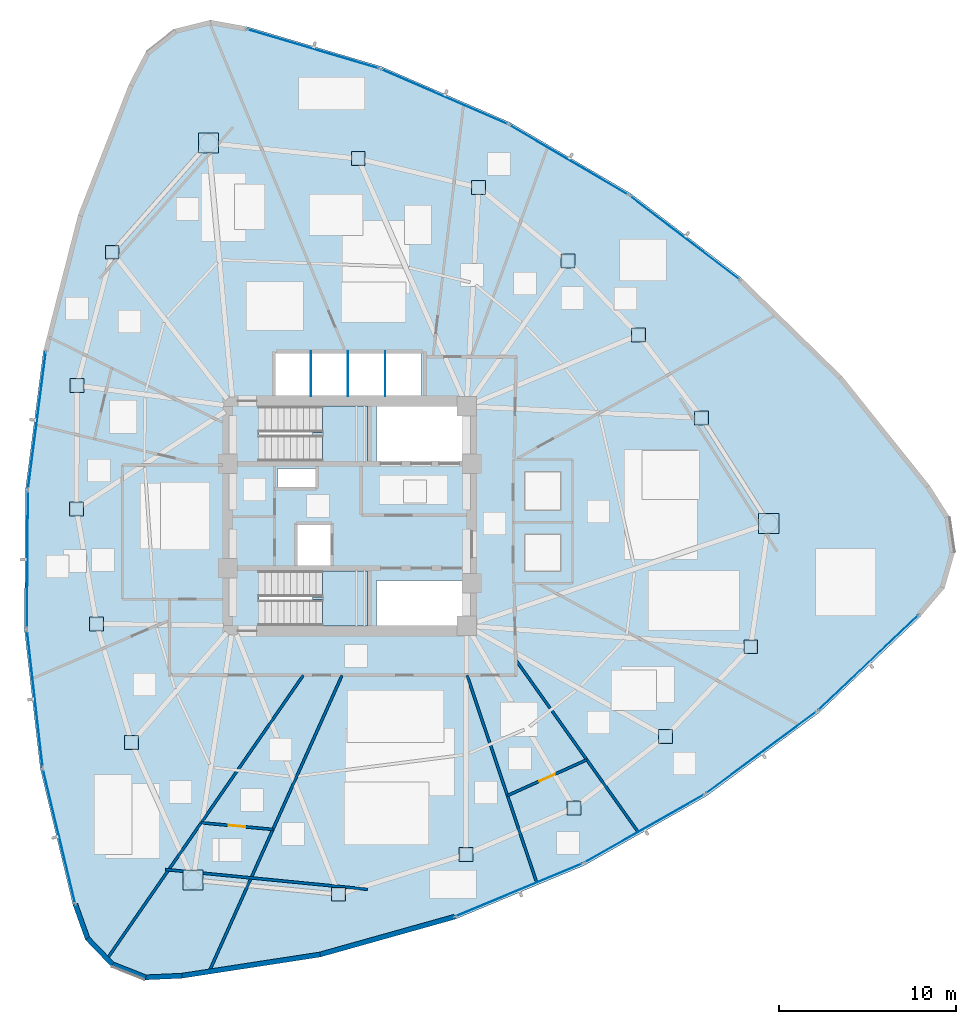
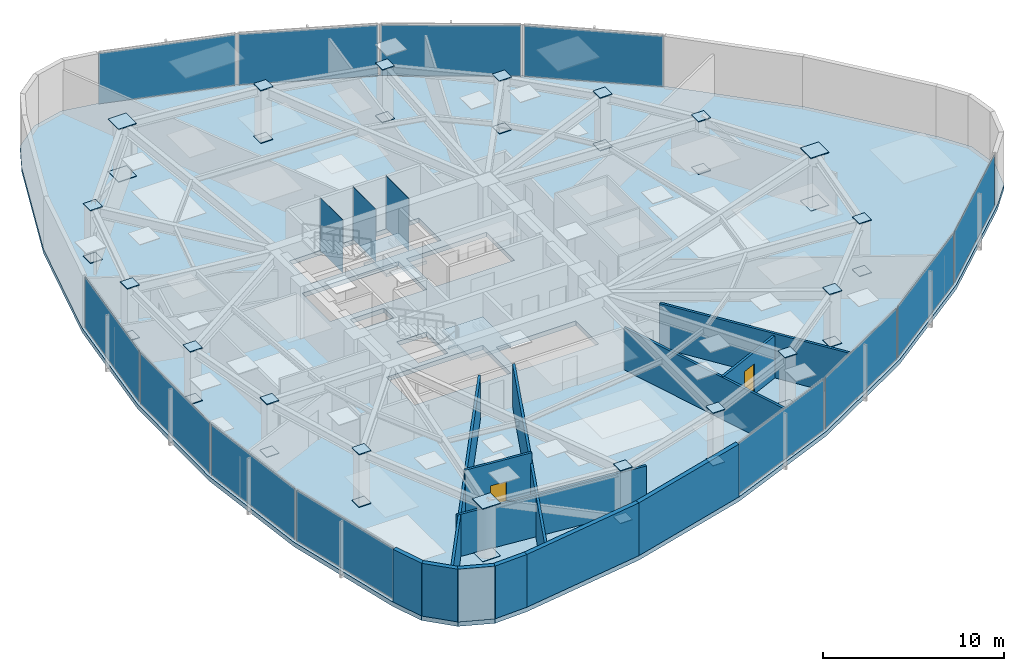
# One storey, part 10 of 17: 51 plates, 13 walls, 3 slabs, 2 doors, 2 openings, 14 elements without a shape of their own.
"""IFC4 building model written with IfcOpenShell, lengths in metres."""

from ifc_helpers import new_model, si_unit, direction, frame, frame_2d, origin, origin_2d, place, context, subcontext, project, spatial, polyline, rectangle, outline, extrude, source, transform, mapped, material, layer, layer_set, type_object, type_shapes, element, fill, aggregate, save


model = new_model("IFC4")

# Units and contexts
model_context = context("Model", 3, precision=1e-05, world=origin(), true_north=direction((0.0, 1.0)))
body_context = subcontext(model_context, "Body", "Model", "MODEL_VIEW")
ifc_project = project(units=[si_unit("LENGTHUNIT", "METRE"), si_unit("AREAUNIT", "SQUARE_METRE"), si_unit("VOLUMEUNIT", "CUBIC_METRE"), si_unit("PLANEANGLEUNIT", "RADIAN"), si_unit("MASSUNIT", "GRAM", prefix="KILO")], contexts=[model_context])

# Site, building, storey
site_placement = place(None, origin())
site = spatial("IfcSite", under=ifc_project, at=site_placement, CompositionType="ELEMENT")
building_placement = place(site_placement, origin())
building = spatial("IfcBuilding", under=site, at=building_placement, Name="Tavelor Broadcast Tower", CompositionType="ELEMENT")
storey_placement = place(building_placement, frame((0.0, 0.0, 142.550048828125)))
storey = spatial("IfcBuildingStorey", under=building, at=storey_placement, Name="L33", CompositionType="ELEMENT", Elevation=142.550048828125)

# Stair, slab
ifc_material_1 = material(Name="Concrete C40/50", Category="concrete")
stair_type = type_object("IfcStairType", Name="Reinforced Concrete Protected Dogleg Stair 1450 mm", PredefinedType="HALF_TURN_STAIR", material=ifc_material_1)
stair_1_placement = place(storey_placement, origin())
stair_1 = element("IfcStair", 1, at=stair_1_placement, inside=storey, type_object=stair_type, Name="L33 Protected Core Exit Stair ST1", PredefinedType="HALF_TURN_STAIR")
ifc_layer_1 = layer(ifc_material_1, 0.199951171875)
ifc_layer_set_1 = layer_set([ifc_layer_1], Name="Concrete C40/50")
slab_type_1 = type_object("IfcSlabType", Name="Reinforced Concrete Stair Half-Landing Slab 200 mm", PredefinedType="LANDING", material=ifc_layer_set_1)
slab_1_placement = place(storey_placement, frame((0.0, 0.0, 1.724853515625)))
slab_1 = element("IfcSlab", 2, at=slab_1_placement, type_object=slab_type_1, Name="ST1 landing 1", PredefinedType="LANDING", context=body_context, shape_type="SweptSolid", body=[
    extrude(outline(polyline([(48.445068359375, 49.590087890625), (48.445068359375, 48.094970703125), (51.0048828125, 48.094970703125), (51.0048828125, 51.205078125), (48.445068359375, 51.205078125), (48.445068359375, 49.7099609375), (47.905029296875, 49.7099609375), (47.905029296875, 49.590087890625), (48.445068359375, 49.590087890625)])), origin(), (0.0, 0.0, 1.0), 0.2001953125),
])
aggregate(stair_1, [slab_1])

stair_2_placement = place(storey_placement, origin())
stair_2 = element("IfcStair", 3, at=stair_2_placement, inside=storey, type_object=stair_type, Name="L33 Protected Core Exit Stair ST2", PredefinedType="HALF_TURN_STAIR")
slab_2_placement = place(storey_placement, frame((0.0, 0.0, 1.724853515625)))
slab_2 = element("IfcSlab", 4, at=slab_2_placement, type_object=slab_type_1, Name="ST2 landing 1", PredefinedType="LANDING", context=body_context, shape_type="SweptSolid", body=[
    extrude(outline(polyline([(48.445068359375, 40.2900390625), (48.445068359375, 38.794921875), (51.0048828125, 38.794921875), (51.0048828125, 41.905029296875), (48.445068359375, 41.905029296875), (48.445068359375, 40.409912109375), (47.905029296875, 40.409912109375), (47.905029296875, 40.2900390625), (48.445068359375, 40.2900390625)])), origin(), (0.0, 0.0, 1.0), 0.2001953125),
])
aggregate(stair_2, [slab_2])

# Slab
ifc_layer_2 = layer(ifc_material_1, 0.300048828125)
ifc_layer_set_2 = layer_set([ifc_layer_2], Name="Concrete C40/50")
slab_type_2 = type_object("IfcSlabType", Name="Tower Composite Floor Slab 300 mm", PredefinedType="FLOOR", material=ifc_layer_set_2)
slab_3_placement = place(storey_placement, frame((0.0, 0.0, -0.300048828125)))
element("IfcSlab", 5, at=slab_3_placement, inside=storey, type_object=slab_type_2, Name="L33 Structural Floor Slab", PredefinedType="FLOOR", context=body_context, shape_type="SweptSolid", body=[
    extrude(outline(polyline([(44.17626953125, 72.663818359375), (42.12939453125, 73.03759765625), (40.1103515625, 72.535888671875), (38.476318359375, 71.247802734375), (37.517333984375, 69.401611328125), (34.6435546875, 62.02197265625), (32.68408203125, 54.34912109375), (31.66748046875, 46.4951171875), (31.60888671875, 38.576171875), (32.5087890625, 30.7080078125), (34.3544921875, 23.0068359375), (35.05419921875, 21.047607421875), (36.498046875, 19.549560546875), (38.430419921875, 18.778564453125), (40.509033203125, 18.87109375), (48.336669921875, 20.072265625), (55.96142578125, 22.2119140625), (63.271240234375, 25.25830078125), (70.15869140625, 29.1669921875), (76.522705078125, 33.880615234375), (82.269287109375, 39.329345703125), (83.616455078125, 40.9150390625), (84.191650390625, 42.91455078125), (83.89306640625, 44.973388671875), (82.773681640625, 46.727294921875), (77.819580078125, 52.90576171875), (72.154296875, 58.439208984375), (65.861083984375, 63.24658203125), (59.0322265625, 67.2568359375), (51.768310546875, 70.411376953125), (44.17626953125, 72.663818359375)]), holes=[polyline([(56.60009765625, 41.35009765625), (56.60009765625, 38.800048828125), (51.52001953125, 38.800048828125), (51.52001953125, 41.35009765625), (56.60009765625, 41.35009765625)]), polyline([(50.99609375, 38.803955078125), (44.85400390625, 38.803955078125), (44.85400390625, 41.89599609375), (50.99609375, 41.89599609375), (50.99609375, 38.803955078125)]), polyline([(47.050048828125, 42.199951171875), (47.050048828125, 44.550048828125), (48.949951171875, 44.550048828125), (48.949951171875, 42.199951171875), (47.050048828125, 42.199951171875)]), polyline([(48.050048828125, 46.64990234375), (45.89990234375, 46.64990234375), (45.89990234375, 47.699951171875), (48.050048828125, 47.699951171875), (48.050048828125, 46.64990234375)]), polyline([(50.99609375, 48.10400390625), (44.85400390625, 48.10400390625), (44.85400390625, 51.196044921875), (50.99609375, 51.196044921875), (50.99609375, 48.10400390625)]), polyline([(56.60009765625, 48.10009765625), (51.52001953125, 48.10009765625), (51.52001953125, 51.199951171875), (56.60009765625, 51.199951171875), (56.60009765625, 48.10009765625)]), polyline([(54.050048828125, 51.800048828125), (45.800048828125, 51.800048828125), (45.800048828125, 54.25), (54.050048828125, 54.25), (54.050048828125, 51.800048828125)])]), origin(), (0.0, 0.0, 1.0), 0.300048828125),
])

# Plates
ifc_material_2 = material(Name="Steel S460", Category="steel")
ifc_layer_3 = layer(ifc_material_2, 0.050048828125)
ifc_layer_set_3 = layer_set([ifc_layer_3], Name="Steel S460")
plate_type_1 = type_object("IfcPlateType", Name="Tube Hollow-End Cap Plate KN05 700x700x50", PredefinedType="USERDEFINED", material=ifc_layer_set_3)
shared_shape_1 = source(origin(), body_context, "Body", "SweptSolid", [
    extrude(rectangle(XDim=1.14697265625, YDim=1.14697265625, at=origin_2d()), origin(), (0.0, 0.0, 1.0), 0.054931640625),
])
for number, where, z_axis, x_axis, name in (
    (6, (42.01123046875, 66.080078125, -0.02734375), (0.0, 0.0, 1.0), (1.0, 0.0, 0.0), "L33 Hollow End Cap Plate KN05 #927"),
    (7, (42.01123046875, 66.080078125, 3.5224609375), (0.0, 0.0, 1.0), (1.0, 0.0, 0.0), "L33 Hollow End Cap Plate KN05 #928"),
    (8, (41.138671875, 24.423828125, -0.02734375), (0.0, 0.0, 1.0), (1.0, 0.0, 0.0), "L33 Hollow End Cap Plate KN05 #939"),
    (9, (41.138671875, 24.423828125, 3.5224609375), (0.0, 0.0, 1.0), (1.0, 0.0, 0.0), "L33 Hollow End Cap Plate KN05 #940"),
    (10, (73.676025390625, 44.57958984375, -0.02734375), (0.0, 0.0, 1.0), (1.0, 0.0, 0.0), "L33 Hollow End Cap Plate KN05 #951"),
    (11, (73.676025390625, 44.57958984375, 3.5224609375), (0.0, 0.0, 1.0), (1.0, 0.0, 0.0), "L33 Hollow End Cap Plate KN05 #952"),
):
    element("IfcPlate", number, at=place(storey_placement, frame(where, z_axis=z_axis, x_axis=x_axis)), inside=storey, type_object=plate_type_1, Name=name, ObjectType="CAP PLATE", PredefinedType="USERDEFINED", context=body_context, shape_type="MappedRepresentation", body=[
        mapped(shared_shape_1, transform((0.0, 0.0, 0.0), scale=1.0)),
    ])
shared_shape_2 = source(origin(), body_context, "Body", "SweptSolid", [
    extrude(rectangle(XDim=0.780029296875, YDim=0.780029296875, at=origin_2d()), origin(), (0.0, 0.0, 1.0), 0.054931640625),
])
type_shapes(plate_type_1, [shared_shape_1, shared_shape_2])
for number, where, z_axis, x_axis, name in (
    (12, (36.567626953125, 59.91064453125, -0.02734375), (0.0, 0.0, 1.0), (1.0, 0.0, 0.0), "L33 Hollow End Cap Plate KN05 #929"),
    (13, (36.567626953125, 59.91064453125, 3.5224609375), (0.0, 0.0, 1.0), (1.0, 0.0, 0.0), "L33 Hollow End Cap Plate KN05 #930"),
    (14, (34.5751953125, 52.37939453125, -0.02734375), (0.0, 0.0, 1.0), (1.0, 0.0, 0.0), "L33 Hollow End Cap Plate KN05 #931"),
    (15, (34.5751953125, 52.37939453125, 3.5224609375), (0.0, 0.0, 1.0), (1.0, 0.0, 0.0), "L33 Hollow End Cap Plate KN05 #932"),
    (16, (34.54638671875, 45.399169921875, -0.02734375), (0.0, 0.0, 1.0), (1.0, 0.0, 0.0), "L33 Hollow End Cap Plate KN05 #933"),
    (17, (34.54638671875, 45.399169921875, 3.5224609375), (0.0, 0.0, 1.0), (1.0, 0.0, 0.0), "L33 Hollow End Cap Plate KN05 #934"),
    (18, (35.680908203125, 38.89990234375, -0.02734375), (0.0, 0.0, 1.0), (1.0, 0.0, 0.0), "L33 Hollow End Cap Plate KN05 #935"),
    (19, (35.680908203125, 38.89990234375, 3.5224609375), (0.0, 0.0, 1.0), (1.0, 0.0, 0.0), "L33 Hollow End Cap Plate KN05 #936"),
    (20, (37.668212890625, 32.1904296875, -0.02734375), (0.0, 0.0, 1.0), (1.0, 0.0, 0.0), "L33 Hollow End Cap Plate KN05 #937"),
    (21, (37.668212890625, 32.1904296875, 3.5224609375), (0.0, 0.0, 1.0), (1.0, 0.0, 0.0), "L33 Hollow End Cap Plate KN05 #938"),
    (22, (49.366455078125, 23.618896484375, -0.02734375), (0.0, 0.0, 1.0), (1.0, 0.0, 0.0), "L33 Hollow End Cap Plate KN05 #941"),
    (23, (49.366455078125, 23.618896484375, 3.5224609375), (0.0, 0.0, 1.0), (1.0, 0.0, 0.0), "L33 Hollow End Cap Plate KN05 #942"),
    (24, (56.56103515625, 25.872802734375, -0.02734375), (0.0, 0.0, 1.0), (1.0, 0.0, 0.0), "L33 Hollow End Cap Plate KN05 #943"),
    (25, (56.56103515625, 25.872802734375, 3.5224609375), (0.0, 0.0, 1.0), (1.0, 0.0, 0.0), "L33 Hollow End Cap Plate KN05 #944"),
    (26, (62.669189453125, 28.503173828125, -0.02734375), (0.0, 0.0, 1.0), (1.0, 0.0, 0.0), "L33 Hollow End Cap Plate KN05 #945"),
    (27, (62.669189453125, 28.503173828125, 3.5224609375), (0.0, 0.0, 1.0), (1.0, 0.0, 0.0), "L33 Hollow End Cap Plate KN05 #946"),
    (28, (67.84228515625, 32.53173828125, -0.02734375), (0.0, 0.0, 1.0), (1.0, 0.0, 0.0), "L33 Hollow End Cap Plate KN05 #947"),
    (29, (67.84228515625, 32.53173828125, 3.5224609375), (0.0, 0.0, 1.0), (1.0, 0.0, 0.0), "L33 Hollow End Cap Plate KN05 #948"),
    (30, (72.6591796875, 37.607421875, -0.02734375), (0.0, 0.0, 1.0), (1.0, 0.0, 0.0), "L33 Hollow End Cap Plate KN05 #949"),
    (31, (72.6591796875, 37.607421875, 3.5224609375), (0.0, 0.0, 1.0), (1.0, 0.0, 0.0), "L33 Hollow End Cap Plate KN05 #950"),
    (32, (69.885986328125, 50.544189453125, -0.02734375), (0.0, 0.0, 1.0), (1.0, 0.0, 0.0), "L33 Hollow End Cap Plate KN05 #953"),
    (33, (69.885986328125, 50.544189453125, 3.5224609375), (0.0, 0.0, 1.0), (1.0, 0.0, 0.0), "L33 Hollow End Cap Plate KN05 #954"),
    (34, (66.322021484375, 55.228759765625, -0.02734375), (0.0, 0.0, 1.0), (1.0, 0.0, 0.0), "L33 Hollow End Cap Plate KN05 #955"),
    (35, (66.322021484375, 55.228759765625, 3.5224609375), (0.0, 0.0, 1.0), (1.0, 0.0, 0.0), "L33 Hollow End Cap Plate KN05 #956"),
    (36, (62.330810546875, 59.416259765625, -0.02734375), (0.0, 0.0, 1.0), (1.0, 0.0, 0.0), "L33 Hollow End Cap Plate KN05 #957"),
    (37, (62.330810546875, 59.416259765625, 3.5224609375), (0.0, 0.0, 1.0), (1.0, 0.0, 0.0), "L33 Hollow End Cap Plate KN05 #958"),
    (38, (57.276611328125, 63.568359375, -0.02734375), (0.0, 0.0, 1.0), (1.0, 0.0, 0.0), "L33 Hollow End Cap Plate KN05 #959"),
    (39, (57.276611328125, 63.568359375, 3.5224609375), (0.0, 0.0, 1.0), (1.0, 0.0, 0.0), "L33 Hollow End Cap Plate KN05 #960"),
    (40, (50.472412109375, 65.2021484375, -0.02734375), (0.0, 0.0, 1.0), (1.0, 0.0, 0.0), "L33 Hollow End Cap Plate KN05 #961"),
    (41, (50.472412109375, 65.2021484375, 3.5224609375), (0.0, 0.0, 1.0), (1.0, 0.0, 0.0), "L33 Hollow End Cap Plate KN05 #962"),
):
    element("IfcPlate", number, at=place(storey_placement, frame(where, z_axis=z_axis, x_axis=x_axis)), inside=storey, type_object=plate_type_1, Name=name, ObjectType="CAP PLATE", PredefinedType="USERDEFINED", context=body_context, shape_type="MappedRepresentation", body=[
        mapped(shared_shape_2, transform((0.0, 0.0, 0.0), scale=1.0)),
    ])
ifc_material_3 = material(Name="Steel S355", Category="steel")
ifc_layer_4 = layer(ifc_material_3, 0.011962890625)
ifc_layer_set_4 = layer_set([ifc_layer_4], Name="Steel S355")
plate_type_2 = type_object("IfcPlateType", Name="Hoistway Steel Separator Screen 12 mm", PredefinedType="SHEET", material=ifc_layer_set_4)
shared_shape_3 = source(origin(), body_context, "Body", "SweptSolid", [
    extrude(rectangle(XDim=0.02001953125, YDim=2.52001953125, at=origin_2d()), origin(), (0.0, 0.0, 1.0), 3.550048828125),
])
type_shapes(plate_type_2, [shared_shape_3])
for number, where, z_axis, x_axis, name in (
    (42, (47.800048828125, 53.0400390625, 0.0), (0.0, 0.0, 1.0), (1.0, 0.0, 0.0), "L33 High-Rise Hoistway Separator Screen 1"),
    (43, (49.89990234375, 53.0400390625, 0.0), (0.0, 0.0, 1.0), (1.0, 0.0, 0.0), "L33 High-Rise Hoistway Separator Screen 2"),
    (44, (52.0, 53.0400390625, 0.0), (0.0, 0.0, 1.0), (1.0, 0.0, 0.0), "L33 High-Rise Hoistway Separator Screen 3"),
):
    element("IfcPlate", number, at=place(storey_placement, frame(where, z_axis=z_axis, x_axis=x_axis)), inside=storey, type_object=plate_type_2, Name=name, PredefinedType="SHEET", context=body_context, shape_type="MappedRepresentation", body=[
        mapped(shared_shape_3, transform((0.0, 0.0, 0.0), scale=1.0)),
    ])

# Curtain wall, plate
ifc_material_4 = material(Name="Architectural Anodized Aluminium", Category="aluminium")
ifc_layer_5 = layer(ifc_material_4, 0.18994140625)
ifc_layer_set_5 = layer_set([ifc_layer_5], Name="Architectural Anodized Aluminium")
curtain_wall_type = type_object("IfcCurtainWallType", Name="Tower Mid-Zone Acoustic Curtain Wall CW03", PredefinedType="NOTDEFINED", material=ifc_layer_set_5)
curtain_wall_1_placement = place(storey_placement, origin())
curtain_wall_1 = element("IfcCurtainWall", 45, at=curtain_wall_1_placement, inside=storey, type_object=curtain_wall_type, Name="L33 Curtain Wall CW03 Run 337", PredefinedType="NOTDEFINED")
ifc_material_5 = material(Name="Solar Control Double Glazing 30 mm", Category="glass")
ifc_layer_6 = layer(ifc_material_5, 0.030029296875)
ifc_layer_set_6 = layer_set([ifc_layer_6], Name="Solar Control Double Glazing 30 mm")
plate_type_3 = type_object("IfcPlateType", Name="CW03 Insulated Vision Glazing Panel 30 mm", PredefinedType="CURTAIN_PANEL", material=ifc_layer_set_6)
shared_shape_4 = source(origin(), body_context, "Body", "SweptSolid", [
    extrude(rectangle(XDim=7.75146484375, YDim=0.030029296875, at=origin_2d()), origin(), (0.0, 0.0, 1.0), 3.4140625),
])
plate_1_placement = place(storey_placement, frame((32.315673828125, 50.41162109375, 0.06787109375), z_axis=(0.0, 0.0, 1.0), x_axis=(-0.128369993365, -0.991726345724, 0.0)))
plate_1 = element("IfcPlate", 46, at=plate_1_placement, type_object=plate_type_3, Name="CW03 panel 1.1", PredefinedType="CURTAIN_PANEL", context=body_context, shape_type="MappedRepresentation", body=[
    mapped(shared_shape_4, transform((0.0, 0.0, 0.0), scale=1.0)),
])
aggregate(curtain_wall_1, [plate_1])

curtain_wall_2_placement = place(storey_placement, origin())
curtain_wall_2 = element("IfcCurtainWall", 47, at=curtain_wall_2_placement, inside=storey, type_object=curtain_wall_type, Name="L33 Curtain Wall CW03 Run 345", PredefinedType="NOTDEFINED")
plate_2_placement = place(storey_placement, frame((68.9287109375, 60.72705078125, 0.06787109375), z_axis=(0.0, 0.0, 1.0), x_axis=(-0.794675849262, 0.607034014367, 0.0)))
plate_2 = element("IfcPlate", 48, at=plate_2_placement, type_object=plate_type_3, Name="CW03 panel 1.1", PredefinedType="CURTAIN_PANEL", context=body_context, shape_type="MappedRepresentation", body=[
    mapped(shared_shape_4, transform((0.0, 0.0, 0.0), scale=1.0)),
])
aggregate(curtain_wall_2, [plate_2])

curtain_wall_3_placement = place(storey_placement, origin())
curtain_wall_3 = element("IfcCurtainWall", 49, at=curtain_wall_3_placement, inside=storey, type_object=curtain_wall_type, Name="L33 Curtain Wall CW03 Run 338", PredefinedType="NOTDEFINED")
shared_shape_5 = source(origin(), body_context, "Body", "SweptSolid", [
    extrude(rectangle(XDim=7.736328125, YDim=0.030029296875, at=origin_2d()), origin(), (0.0, 0.0, 1.0), 3.4140625),
])
plate_3_placement = place(storey_placement, frame((31.778076171875, 42.53466796875, 0.06787109375), z_axis=(0.0, 0.0, 1.0), x_axis=(-0.007405698761, -0.999972577437, 0.0)))
plate_3 = element("IfcPlate", 50, at=plate_3_placement, type_object=plate_type_3, Name="CW03 panel 1.1", PredefinedType="CURTAIN_PANEL", context=body_context, shape_type="MappedRepresentation", body=[
    mapped(shared_shape_5, transform((0.0, 0.0, 0.0), scale=1.0)),
])
aggregate(curtain_wall_3, [plate_3])

curtain_wall_4_placement = place(storey_placement, origin())
curtain_wall_4 = element("IfcCurtainWall", 51, at=curtain_wall_4_placement, inside=storey, type_object=curtain_wall_type, Name="L33 Curtain Wall CW03 Run 339", PredefinedType="NOTDEFINED")
plate_4_placement = place(storey_placement, frame((32.197998046875, 34.657958984375, 0.06787109375), z_axis=(0.0, 0.0, 1.0), x_axis=(0.11365155972, -0.993520670632, 0.0)))
plate_4 = element("IfcPlate", 52, at=plate_4_placement, type_object=plate_type_3, Name="CW03 panel 1.1", PredefinedType="CURTAIN_PANEL", context=body_context, shape_type="MappedRepresentation", body=[
    mapped(shared_shape_5, transform((0.0, 0.0, 0.0), scale=1.0)),
])
aggregate(curtain_wall_4, [plate_4])

curtain_wall_5_placement = place(storey_placement, origin())
curtain_wall_5 = element("IfcCurtainWall", 53, at=curtain_wall_5_placement, inside=storey, type_object=curtain_wall_type, Name="L33 Curtain Wall CW03 Run 342", PredefinedType="NOTDEFINED")
plate_5_placement = place(storey_placement, frame((66.64599609375, 27.33447265625, 0.06787109375), z_axis=(0.0, 0.0, 1.0), x_axis=(0.869711263214, 0.493560856064, 0.0)))
plate_5 = element("IfcPlate", 54, at=plate_5_placement, type_object=plate_type_3, Name="CW03 panel 1.1", PredefinedType="CURTAIN_PANEL", context=body_context, shape_type="MappedRepresentation", body=[
    mapped(shared_shape_5, transform((0.0, 0.0, 0.0), scale=1.0)),
])
aggregate(curtain_wall_5, [plate_5])

curtain_wall_6_placement = place(storey_placement, origin())
curtain_wall_6 = element("IfcCurtainWall", 55, at=curtain_wall_6_placement, inside=storey, type_object=curtain_wall_type, Name="L33 Curtain Wall CW03 Run 343", PredefinedType="NOTDEFINED")
plate_6_placement = place(storey_placement, frame((73.257568359375, 31.63623046875, 0.06787109375), z_axis=(0.0, 0.0, 1.0), x_axis=(0.803587570847, 0.59518653881, 0.0)))
plate_6 = element("IfcPlate", 56, at=plate_6_placement, type_object=plate_type_3, Name="CW03 panel 1.1", PredefinedType="CURTAIN_PANEL", context=body_context, shape_type="MappedRepresentation", body=[
    mapped(shared_shape_5, transform((0.0, 0.0, 0.0), scale=1.0)),
])
aggregate(curtain_wall_6, [plate_6])

curtain_wall_7_placement = place(storey_placement, origin())
curtain_wall_7 = element("IfcCurtainWall", 57, at=curtain_wall_7_placement, inside=storey, type_object=curtain_wall_type, Name="L33 Curtain Wall CW03 Run 346", PredefinedType="NOTDEFINED")
plate_7_placement = place(storey_placement, frame((62.375732421875, 65.130859375, 0.06787109375), z_axis=(0.0, 0.0, 1.0), x_axis=(-0.862298099097, 0.506401015297, 0.0)))
plate_7 = element("IfcPlate", 58, at=plate_7_placement, type_object=plate_type_3, Name="CW03 panel 1.1", PredefinedType="CURTAIN_PANEL", context=body_context, shape_type="MappedRepresentation", body=[
    mapped(shared_shape_5, transform((0.0, 0.0, 0.0), scale=1.0)),
])
aggregate(curtain_wall_7, [plate_7])

curtain_wall_8_placement = place(storey_placement, origin())
curtain_wall_8 = element("IfcCurtainWall", 59, at=curtain_wall_8_placement, inside=storey, type_object=curtain_wall_type, Name="L33 Curtain Wall CW03 Run 347", PredefinedType="NOTDEFINED")
plate_8_placement = place(storey_placement, frame((55.344482421875, 68.70556640625, 0.06787109375), z_axis=(0.0, 0.0, 1.0), x_axis=(-0.917236181952, 0.398343804419, 0.0)))
plate_8 = element("IfcPlate", 60, at=plate_8_placement, type_object=plate_type_3, Name="CW03 panel 1.1", PredefinedType="CURTAIN_PANEL", context=body_context, shape_type="MappedRepresentation", body=[
    mapped(shared_shape_5, transform((0.0, 0.0, 0.0), scale=1.0)),
])
aggregate(curtain_wall_8, [plate_8])

curtain_wall_9_placement = place(storey_placement, origin())
curtain_wall_9 = element("IfcCurtainWall", 61, at=curtain_wall_9_placement, inside=storey, type_object=curtain_wall_type, Name="L33 Curtain Wall CW03 Run 340", PredefinedType="NOTDEFINED")
shared_shape_6 = source(origin(), body_context, "Body", "SweptSolid", [
    extrude(rectangle(XDim=7.752197265625, YDim=0.030029296875, at=origin_2d()), origin(), (0.0, 0.0, 1.0), 3.4140625),
])
plate_9_placement = place(storey_placement, frame((33.569580078125, 26.88232421875, 0.06787109375), z_axis=(0.0, 0.0, 1.0), x_axis=(0.233044502523, -0.972466071307, 0.0)))
plate_9 = element("IfcPlate", 62, at=plate_9_placement, type_object=plate_type_3, Name="CW03 panel 1.1", PredefinedType="CURTAIN_PANEL", context=body_context, shape_type="MappedRepresentation", body=[
    mapped(shared_shape_6, transform((0.0, 0.0, 0.0), scale=1.0)),
])
aggregate(curtain_wall_9, [plate_9])

curtain_wall_10_placement = place(storey_placement, origin())
curtain_wall_10 = element("IfcCurtainWall", 63, at=curtain_wall_10_placement, inside=storey, type_object=curtain_wall_type, Name="L33 Curtain Wall CW03 Run 344", PredefinedType="NOTDEFINED")
plate_10_placement = place(storey_placement, frame((79.305419921875, 36.712158203125, 0.06787109375), z_axis=(0.0, 0.0, 1.0), x_axis=(0.725663137328, 0.688050151605, 0.0)))
plate_10 = element("IfcPlate", 64, at=plate_10_placement, type_object=plate_type_3, Name="CW03 panel 1.1", PredefinedType="CURTAIN_PANEL", context=body_context, shape_type="MappedRepresentation", body=[
    mapped(shared_shape_6, transform((0.0, 0.0, 0.0), scale=1.0)),
])
aggregate(curtain_wall_10, [plate_10])

curtain_wall_11_placement = place(storey_placement, origin())
curtain_wall_11 = element("IfcCurtainWall", 65, at=curtain_wall_11_placement, inside=storey, type_object=curtain_wall_type, Name="L33 Curtain Wall CW03 Run 348", PredefinedType="NOTDEFINED")
plate_11_placement = place(storey_placement, frame((47.9248046875, 71.405517578125, 0.06787109375), z_axis=(0.0, 0.0, 1.0), x_axis=(-0.958706237525, 0.284398224556, 0.0)))
plate_11 = element("IfcPlate", 66, at=plate_11_placement, type_object=plate_type_3, Name="CW03 panel 1.1", PredefinedType="CURTAIN_PANEL", context=body_context, shape_type="MappedRepresentation", body=[
    mapped(shared_shape_6, transform((0.0, 0.0, 0.0), scale=1.0)),
])
aggregate(curtain_wall_11, [plate_11])

curtain_wall_12_placement = place(storey_placement, origin())
curtain_wall_12 = element("IfcCurtainWall", 67, at=curtain_wall_12_placement, inside=storey, type_object=curtain_wall_type, Name="L33 Curtain Wall CW03 Run 341", PredefinedType="NOTDEFINED")
shared_shape_7 = source(origin(), body_context, "Body", "SweptSolid", [
    extrude(rectangle(XDim=7.751220703125, YDim=0.030029296875, at=origin_2d()), origin(), (0.0, 0.0, 1.0), 3.4140625),
])
type_shapes(plate_type_3, [shared_shape_4, shared_shape_5, shared_shape_6, shared_shape_7])
plate_12_placement = place(storey_placement, frame((59.5556640625, 23.861328125, 0.06787109375), z_axis=(0.0, 0.0, 1.0), x_axis=(0.92304165864, 0.384700008337, 0.0)))
plate_12 = element("IfcPlate", 68, at=plate_12_placement, type_object=plate_type_3, Name="CW03 panel 1.1", PredefinedType="CURTAIN_PANEL", context=body_context, shape_type="MappedRepresentation", body=[
    mapped(shared_shape_7, transform((0.0, 0.0, 0.0), scale=1.0)),
])
aggregate(curtain_wall_12, [plate_12])

# Walls
ifc_material_6 = material(Name="Precast Concrete C40/50", Category="concrete")
ifc_layer_7 = layer(ifc_material_6, 0.280029296875)
ifc_layer_set_7 = layer_set([ifc_layer_7], Name="Precast Concrete C40/50")
wall_type_1 = type_object("IfcWallType", Name="Insulated Precast Terracotta Facade Wall 280 mm", PredefinedType="STANDARD", material=ifc_layer_set_7)
wall_1_placement = place(storey_placement, frame((34.4873046875, 23.050537109375, 0.0), z_axis=(0.0, 0.0, 1.0), x_axis=(0.336403906128, -0.941717798463, 0.0)))
element("IfcWall", 69, at=wall_1_placement, inside=storey, type_object=wall_type_1, Name="L33 Rounded Corner Structural Cladding Pier 11", PredefinedType="STANDARD", context=body_context, shape_type="SweptSolid", body=[
    extrude(rectangle(XDim=2.061767578125, YDim=0.280029296875, at=frame_2d((1.03076171875, 0.0))), origin(), (0.0, 0.0, 1.0), 3.550048828125),
])
for number, where, z_axis, x_axis, name in (
    (70, (35.165283203125, 21.1337890625, 0.0), (0.0, 0.0, 1.0), (0.694069460385, -0.719908038684, 0.0), "L33 Rounded Corner Structural Cladding Pier 12"),
    (71, (36.56396484375, 19.674072265625, 0.0), (0.0, 0.0, 1.0), (0.928804817472, -0.370569306663, 0.0), "L33 Rounded Corner Structural Cladding Pier 13"),
):
    element("IfcWall", number, at=place(storey_placement, frame(where, z_axis=z_axis, x_axis=x_axis)), inside=storey, type_object=wall_type_1, Name=name, PredefinedType="STANDARD", context=body_context, shape_type="SweptSolid", body=[
        extrude(rectangle(XDim=2.05029296875, YDim=0.280029296875, at=frame_2d((1.025146484375, 0.0))), origin(), (0.0, 0.0, 1.0), 3.550048828125),
    ])
wall_2_placement = place(storey_placement, frame((38.439453125, 18.919189453125, 0.0), z_axis=(0.0, 0.0, 1.0), x_axis=(0.999008458804, 0.044520773099, 0.0)))
element("IfcWall", 72, at=wall_2_placement, inside=storey, type_object=wall_type_1, Name="L33 Rounded Corner Structural Cladding Pier 14", PredefinedType="STANDARD", context=body_context, shape_type="SweptSolid", body=[
    extrude(rectangle(XDim=2.07275390625, YDim=0.280029296875, at=frame_2d((1.036376953125, 0.0))), origin(), (0.0, 0.0, 1.0), 3.550048828125),
])
wall_3_placement = place(storey_placement, frame((40.48046875, 19.008544921875, 0.0), z_axis=(0.0, 0.0, 1.0), x_axis=(0.988433519728, 0.151654795766, 0.0)))
element("IfcWall", 73, at=wall_3_placement, inside=storey, type_object=wall_type_1, Name="L33 Rounded Corner Structural Cladding Pier 15", PredefinedType="STANDARD", context=body_context, shape_type="SweptSolid", body=[
    extrude(rectangle(XDim=7.933349609375, YDim=0.280029296875, at=frame_2d((3.966796875, 0.0))), origin(), (0.0, 0.0, 1.0), 3.550048828125),
])
wall_4_placement = place(storey_placement, frame((48.29248046875, 20.205322265625, 0.0), z_axis=(0.0, 0.0, 1.0), x_axis=(0.962811178856, 0.270175191071, 0.0)))
element("IfcWall", 74, at=wall_4_placement, inside=storey, type_object=wall_type_1, Name="L33 Rounded Corner Structural Cladding Pier 16", PredefinedType="STANDARD", context=body_context, shape_type="SweptSolid", body=[
    extrude(rectangle(XDim=7.92138671875, YDim=0.280029296875, at=frame_2d((3.960693359375, 0.0))), origin(), (0.0, 0.0, 1.0), 3.550048828125),
])
ifc_material_7 = material(Name="Gypsum Acoustic Plasterboard 150 mm", Category="gypsum")
ifc_layer_8 = layer(ifc_material_7, 0.14990234375)
ifc_layer_set_8 = layer_set([ifc_layer_8], Name="Gypsum Acoustic Plasterboard 150 mm")
wall_type_2 = type_object("IfcWallType", Name="Interior Acoustic Partition Wall 150 mm", PredefinedType="PARTITIONING", material=ifc_layer_set_8)
wall_5_placement = place(storey_placement, frame((39.589111328125, 25.017578125, 0.0), z_axis=(0.0, 0.0, 1.0), x_axis=(0.99524905582, -0.097361783517, 0.0)))
element("IfcWall", 75, at=wall_5_placement, inside=storey, type_object=wall_type_2, Name="L33 Corner Tube Brace Furring Wall 2", PredefinedType="PARTITIONING", context=body_context, shape_type="SweptSolid", body=[
    extrude(rectangle(XDim=11.467041015625, YDim=0.14990234375, at=frame_2d((5.7333984375, 0.0))), origin(), (0.0, 0.0, 1.0), 2.8349609375),
])
wall_6_placement = place(storey_placement, frame((47.372314453125, 36.0, 0.0), z_axis=(0.0, 0.0, 1.0), x_axis=(-0.5690152869, -0.822326944271, 0.0)))
element("IfcWall", 76, at=wall_6_placement, inside=storey, type_object=wall_type_2, Name="L33 Radial Compartment Wall 08", PredefinedType="PARTITIONING", context=body_context, shape_type="SweptSolid", body=[
    extrude(rectangle(XDim=19.49853515625, YDim=0.14990234375, at=frame_2d((9.749267578125, 0.0))), origin(), (0.0, 0.0, 1.0), 2.8349609375),
])
wall_7_placement = place(storey_placement, frame((49.563232421875, 36.0, 0.0), z_axis=(0.0, 0.0, 1.0), x_axis=(-0.409239824504, -0.912426855172, 0.0)))
element("IfcWall", 77, at=wall_7_placement, inside=storey, type_object=wall_type_2, Name="L33 Radial Compartment Wall 09", PredefinedType="PARTITIONING", context=body_context, shape_type="SweptSolid", body=[
    extrude(rectangle(XDim=18.3701171875, YDim=0.14990234375, at=frame_2d((9.18505859375, 0.0))), origin(), (0.0, 0.0, 1.0), 2.8349609375),
])
wall_8_placement = place(storey_placement, frame((56.624755859375, 36.0, 0.0), z_axis=(0.0, 0.0, 1.0), x_axis=(0.318576904693, -0.947897017506, 0.0)))
element("IfcWall", 78, at=wall_8_placement, inside=storey, type_object=wall_type_2, Name="L33 Radial Compartment Wall 10", PredefinedType="PARTITIONING", context=body_context, shape_type="SweptSolid", body=[
    extrude(rectangle(XDim=12.372802734375, YDim=0.14990234375, at=frame_2d((6.1865234375, 0.0))), origin(), (0.0, 0.0, 1.0), 2.8349609375),
])
wall_9_placement = place(storey_placement, frame((59.38134765625, 36.86865234375, 0.0), z_axis=(0.0, 0.0, 1.0), x_axis=(0.579466492112, -0.814996064113, 0.0)))
element("IfcWall", 79, at=wall_9_placement, inside=storey, type_object=wall_type_2, Name="L33 Radial Compartment Wall 11", PredefinedType="PARTITIONING", context=body_context, shape_type="SweptSolid", body=[
    extrude(rectangle(XDim=11.949462890625, YDim=0.14990234375, at=frame_2d((5.974609375, 0.0))), origin(), (0.0, 0.0, 1.0), 2.974853515625),
])

# Wall, opening, door
wall_10_placement = place(storey_placement, frame((41.602783203125, 27.662109375, 0.0), z_axis=(0.0, 0.0, 1.0), x_axis=(0.995671437229, -0.092942934571, 0.0)))
wall_10 = element("IfcWall", 80, at=wall_10_placement, inside=storey, type_object=wall_type_2, Name="L33 Suite Chord Partition Wall 02", PredefinedType="PARTITIONING", context=body_context, shape_type="SweptSolid", body=[
    extrude(rectangle(XDim=4.06884765625, YDim=0.14990234375, at=frame_2d((2.034423828125, 0.0))), origin(), (0.0, 0.0, 1.0), 3.550048828125),
])
opening_1_placement = place(wall_10_placement, frame((1.559326171875, 0.0, 0.0)))
opening_1 = element("IfcOpeningElement", 81, at=opening_1_placement, cuts=wall_10, Name="Opening DR23", PredefinedType="OPENING", context=body_context, shape_type="SweptSolid", body=[
    extrude(rectangle(XDim=0.949951171875, YDim=2.050048828125, at=frame_2d((0.47509765625, 1.02490234375))), frame((0.0, 0.0849609375, 0.0), z_axis=(0.0, -1.0, 0.0), x_axis=(1.0, 0.0, 0.0)), (0.0, 0.0, 1.0), 0.169921875),
])
ifc_material_8 = material(Name="Timber Solid Core Hardwood", Category="wood")
door_type = type_object("IfcDoorType", Name="Editorial Room Acoustic Door 950x2050", OperationType="NOTDEFINED", PredefinedType="DOOR", material=ifc_material_8)
door_1_placement = place(opening_1_placement, origin())
door_1 = element("IfcDoor", 82, at=door_1_placement, inside=storey, type_object=door_type, Name="L33 Outer Suite Partition Door 2", OperationType="SINGLE_SWING_RIGHT", OverallHeight=2.050048828125, OverallWidth=0.949951171875, PredefinedType="DOOR", context=body_context, shape_type="SweptSolid", body=[
    extrude(rectangle(XDim=0.949951171875, YDim=2.050048828125, at=frame_2d((0.47509765625, 1.02490234375))), frame((0.0, 0.02490234375, 0.0), z_axis=(0.0, -1.0, 0.0), x_axis=(1.0, 0.0, 0.0)), (0.0, 0.0, 1.0), 0.050048828125),
])
fill(opening_1, door_1)

wall_11_placement = place(storey_placement, frame((58.910888671875, 29.19775390625, 0.0), z_axis=(0.0, 0.0, 1.0), x_axis=(0.911654912422, 0.410956592181, 0.0)))
wall_11 = element("IfcWall", 83, at=wall_11_placement, inside=storey, type_object=wall_type_2, Name="L33 Suite Chord Partition Wall 03", PredefinedType="PARTITIONING", context=body_context, shape_type="SweptSolid", body=[
    extrude(rectangle(XDim=4.92138671875, YDim=0.14990234375, at=frame_2d((2.460693359375, 0.0))), origin(), (0.0, 0.0, 1.0), 2.8349609375),
])
opening_2_placement = place(wall_11_placement, frame((1.985595703125, 0.0, 0.0)))
opening_2 = element("IfcOpeningElement", 84, at=opening_2_placement, cuts=wall_11, Name="Opening DR23", PredefinedType="OPENING", context=body_context, shape_type="SweptSolid", body=[
    extrude(rectangle(XDim=0.949951171875, YDim=2.050048828125, at=frame_2d((0.47509765625, 1.02490234375))), frame((0.0, 0.0849609375, 0.0), z_axis=(0.0, -1.0, 0.0), x_axis=(1.0, 0.0, 0.0)), (0.0, 0.0, 1.0), 0.169921875),
])
door_2_placement = place(opening_2_placement, origin())
door_2 = element("IfcDoor", 85, at=door_2_placement, inside=storey, type_object=door_type, Name="L33 Outer Suite Partition Door 3", OperationType="SINGLE_SWING_LEFT", OverallHeight=2.050048828125, OverallWidth=0.949951171875, PredefinedType="DOOR", context=body_context, shape_type="SweptSolid", body=[
    extrude(rectangle(XDim=0.949951171875, YDim=2.050048828125, at=frame_2d((0.47509765625, 1.02490234375))), frame((0.0, 0.02490234375, 0.0), z_axis=(0.0, -1.0, 0.0), x_axis=(1.0, 0.0, 0.0)), (0.0, 0.0, 1.0), 0.050048828125),
])
fill(opening_2, door_2)

save(model, "model.ifc")
